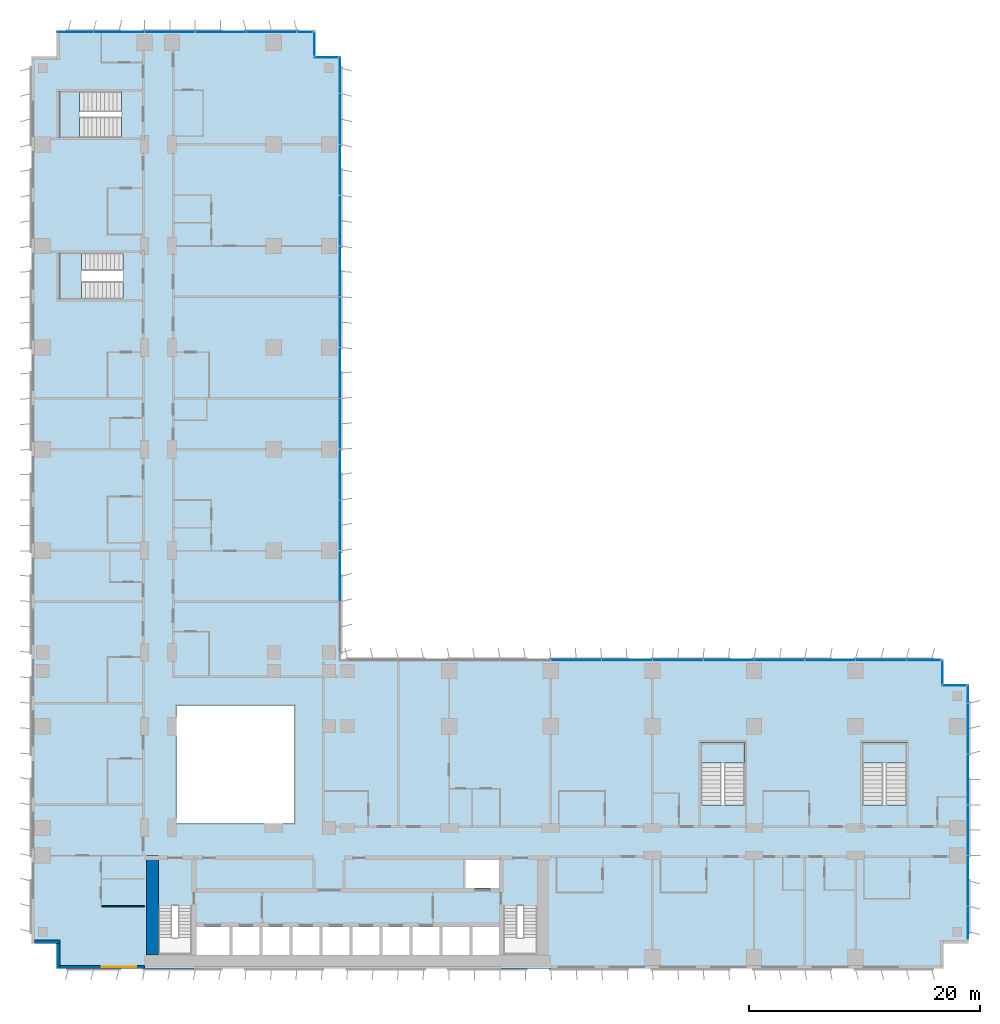
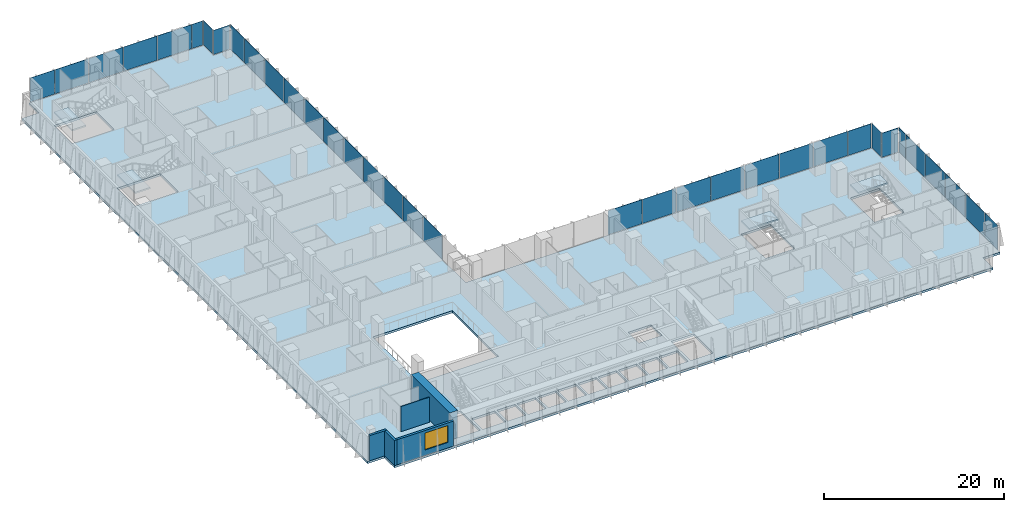
# One storey, part 11 of 24: 35 plates, 5 slabs, 5 walls, 1 window, 1 opening, 12 elements without a shape of their own.
"""IFC4 building model written with IfcOpenShell, lengths in metres."""

from ifc_helpers import new_model, si_unit, direction, frame, frame_2d, origin, origin_2d, place, context, subcontext, project, spatial, polyline, rectangle, outline, extrude, source, transform, mapped, material, layer, layer_set, type_object, element, fill, aggregate, save


model = new_model("IFC4")

# Units and contexts
model_context = context("Model", 3, precision=1e-05, world=origin(), true_north=direction((0.0, 1.0)))
body_context = subcontext(model_context, "Body", "Model", "MODEL_VIEW")
ifc_project = project(units=[si_unit("LENGTHUNIT", "METRE"), si_unit("AREAUNIT", "SQUARE_METRE"), si_unit("VOLUMEUNIT", "CUBIC_METRE"), si_unit("PLANEANGLEUNIT", "RADIAN"), si_unit("MASSUNIT", "GRAM", prefix="KILO")], contexts=[model_context])

# Site, building, storey
site_placement = place(None, origin())
site = spatial("IfcSite", under=ifc_project, at=site_placement, CompositionType="ELEMENT")
building_placement = place(site_placement, origin())
building = spatial("IfcBuilding", under=site, at=building_placement, Name="Kemantara Hotel Tower", CompositionType="ELEMENT")
storey_placement = place(building_placement, frame((0.0, 0.0, 45.10009765625)))
storey = spatial("IfcBuildingStorey", under=building, at=storey_placement, Name="L09", CompositionType="ELEMENT", Elevation=45.10009765625)

# Slab
ifc_material_1 = material(Name="Concrete fc 40 MPa", Category="concrete")
ifc_layer_1 = layer(ifc_material_1, 0.300048828125)
ifc_layer_set_1 = layer_set([ifc_layer_1], Name="Concrete fc 40 MPa")
slab_type_1 = type_object("IfcSlabType", Name="POST-TENSIONED FLAT PLATE 300", PredefinedType="FLOOR", material=ifc_layer_set_1)
slab_1_placement = place(storey_placement, frame((0.0, 0.0, -0.300048828125)))
element("IfcSlab", 1, at=slab_1_placement, inside=storey, type_object=slab_type_1, Name="FLOOR SLAB L09", PredefinedType="FLOOR", context=body_context, shape_type="SweptSolid", body=[
    extrude(outline(polyline([(0.0, 2.199951171875), (2.199951171875, 2.199951171875), (2.199951171875, 0.0), (79.0, 0.0), (79.0, 2.199951171875), (81.199951171875, 2.199951171875), (81.199951171875, 24.60009765625), (79.0, 24.60009765625), (79.0, 26.800048828125), (26.800048828125, 26.800048828125), (26.800048828125, 79.0), (24.60009765625, 79.0), (24.60009765625, 81.199951171875), (2.199951171875, 81.199951171875), (2.199951171875, 79.0), (0.0, 79.0), (0.0, 2.199951171875)]), holes=[polyline([(17.175048828125, 1.199951171875), (14.22509765625, 1.199951171875), (14.22509765625, 3.60009765625), (17.175048828125, 3.60009765625), (17.175048828125, 1.199951171875)]), polyline([(19.77490234375, 1.199951171875), (17.425048828125, 1.199951171875), (17.425048828125, 3.60009765625), (19.77490234375, 3.60009765625), (19.77490234375, 1.199951171875)]), polyline([(22.375, 1.199951171875), (20.02490234375, 1.199951171875), (20.02490234375, 3.60009765625), (22.375, 3.60009765625), (22.375, 1.199951171875)]), polyline([(24.97509765625, 1.199951171875), (22.625, 1.199951171875), (22.625, 3.60009765625), (24.97509765625, 3.60009765625), (24.97509765625, 1.199951171875)]), polyline([(27.574951171875, 1.199951171875), (25.22509765625, 1.199951171875), (25.22509765625, 3.60009765625), (27.574951171875, 3.60009765625), (27.574951171875, 1.199951171875)]), polyline([(11.0, 1.199951171875), (11.0, 5.49951171875), (13.89990234375, 5.49951171875), (13.89990234375, 1.199951171875), (11.0, 1.199951171875)]), polyline([(22.800048828125, 12.60009765625), (12.60009765625, 12.60009765625), (12.60009765625, 22.800048828125), (22.800048828125, 22.800048828125), (22.800048828125, 12.60009765625)]), polyline([(7.949462890625, 62.0), (7.949462890625, 58.0), (2.39990234375, 58.0), (2.39990234375, 62.0), (7.949462890625, 62.0)]), polyline([(7.79931640625, 76.0), (7.79931640625, 72.0), (2.39990234375, 72.0), (2.39990234375, 76.0), (7.79931640625, 76.0)]), polyline([(30.175048828125, 1.199951171875), (27.824951171875, 1.199951171875), (27.824951171875, 3.60009765625), (30.175048828125, 3.60009765625), (30.175048828125, 1.199951171875)]), polyline([(32.77490234375, 1.199951171875), (30.425048828125, 1.199951171875), (30.425048828125, 3.60009765625), (32.77490234375, 3.60009765625), (32.77490234375, 1.199951171875)]), polyline([(35.375, 1.199951171875), (33.02490234375, 1.199951171875), (33.02490234375, 3.60009765625), (35.375, 3.60009765625), (35.375, 1.199951171875)]), polyline([(37.97509765625, 1.199951171875), (35.625, 1.199951171875), (35.625, 3.60009765625), (37.97509765625, 3.60009765625), (37.97509765625, 1.199951171875)]), polyline([(40.574951171875, 1.199951171875), (38.22509765625, 1.199951171875), (38.22509765625, 3.60009765625), (40.574951171875, 3.60009765625), (40.574951171875, 1.199951171875)]), polyline([(40.89990234375, 1.199951171875), (40.89990234375, 5.49951171875), (43.800048828125, 5.49951171875), (43.800048828125, 1.199951171875), (40.89990234375, 1.199951171875)]), polyline([(40.574951171875, 7.0), (37.625, 7.0), (37.625, 9.39990234375), (40.574951171875, 9.39990234375), (40.574951171875, 7.0)]), polyline([(61.800048828125, 14.20068359375), (58.0, 14.20068359375), (58.0, 19.60009765625), (61.800048828125, 19.60009765625), (61.800048828125, 14.20068359375)]), polyline([(75.800048828125, 14.20068359375), (72.0, 14.20068359375), (72.0, 19.60009765625), (75.800048828125, 19.60009765625), (75.800048828125, 14.20068359375)])]), origin(), (0.0, 0.0, 1.0), 0.300048828125),
])

# Stair, slab
stair_type_1 = type_object("IfcStairType", Name="Stair 1800 wide 22 risers of 168 x 360 mm", PredefinedType="HALF_TURN_STAIR", material=ifc_material_1)
stair_1_placement = place(storey_placement, origin())
stair_1 = element("IfcStair", 2, at=stair_1_placement, inside=storey, type_object=stair_type_1, Name="L09 Exit stair ST3", PredefinedType="HALF_TURN_STAIR")
ifc_layer_2 = layer(ifc_material_1, 0.199951171875)
ifc_layer_set_2 = layer_set([ifc_layer_2], Name="Concrete fc 40 MPa")
slab_type_2 = type_object("IfcSlabType", Name="Stair landing 200 mm", PredefinedType="LANDING", material=ifc_layer_set_2)
slab_2_placement = place(storey_placement, frame((0.0, 0.0, 1.64990234375)))
slab_2 = element("IfcSlab", 3, at=slab_2_placement, type_object=slab_type_2, Name="ST3 landing 1", PredefinedType="LANDING", context=body_context, shape_type="SweptSolid", body=[
    extrude(outline(polyline([(61.800048828125, 17.800048828125), (61.800048828125, 19.60009765625), (58.0, 19.60009765625), (58.0, 17.800048828125), (61.800048828125, 17.800048828125)])), origin(), (0.0, 0.0, 1.0), 0.199951171875),
])
aggregate(stair_1, [slab_2])

stair_type_2 = type_object("IfcStairType", Name="Stair 1550 wide 22 risers of 168 x 360 mm", PredefinedType="HALF_TURN_STAIR", material=ifc_material_1)
stair_2_placement = place(storey_placement, origin())
stair_2 = element("IfcStair", 4, at=stair_2_placement, inside=storey, type_object=stair_type_2, Name="L09 Exit stair ST4", PredefinedType="HALF_TURN_STAIR")
slab_3_placement = place(storey_placement, frame((0.0, 0.0, 1.64990234375)))
slab_3 = element("IfcSlab", 5, at=slab_3_placement, type_object=slab_type_2, Name="ST4 landing 1", PredefinedType="LANDING", context=body_context, shape_type="SweptSolid", body=[
    extrude(outline(polyline([(4.35009765625, 62.0), (2.39990234375, 62.0), (2.39990234375, 58.0), (4.35009765625, 58.0), (4.35009765625, 62.0)])), origin(), (0.0, 0.0, 1.0), 0.199951171875),
])
aggregate(stair_2, [slab_3])

stair_3_placement = place(storey_placement, origin())
stair_3 = element("IfcStair", 6, at=stair_3_placement, inside=storey, type_object=stair_type_1, Name="L09 Exit stair ST5", PredefinedType="HALF_TURN_STAIR")
slab_4_placement = place(storey_placement, frame((0.0, 0.0, 1.64990234375)))
slab_4 = element("IfcSlab", 7, at=slab_4_placement, type_object=slab_type_2, Name="ST5 landing 1", PredefinedType="LANDING", context=body_context, shape_type="SweptSolid", body=[
    extrude(outline(polyline([(75.800048828125, 17.800048828125), (75.800048828125, 19.60009765625), (72.0, 19.60009765625), (72.0, 17.800048828125), (75.800048828125, 17.800048828125)])), origin(), (0.0, 0.0, 1.0), 0.199951171875),
])
aggregate(stair_3, [slab_4])

stair_4_placement = place(storey_placement, origin())
stair_4 = element("IfcStair", 8, at=stair_4_placement, inside=storey, type_object=stair_type_1, Name="L09 Exit stair ST6", PredefinedType="HALF_TURN_STAIR")
slab_5_placement = place(storey_placement, frame((0.0, 0.0, 1.64990234375)))
slab_5 = element("IfcSlab", 9, at=slab_5_placement, type_object=slab_type_2, Name="ST6 landing 1", PredefinedType="LANDING", context=body_context, shape_type="SweptSolid", body=[
    extrude(outline(polyline([(4.199951171875, 76.0), (2.39990234375, 76.0), (2.39990234375, 72.0), (4.199951171875, 72.0), (4.199951171875, 76.0)])), origin(), (0.0, 0.0, 1.0), 0.199951171875),
])
aggregate(stair_4, [slab_5])

# Curtain wall, plates
ifc_material_2 = material(Name="Low-E tinted double insulated glass 36 mm", Category="glass")
curtain_wall_type = type_object("IfcCurtainWallType", Name="TOWER CURTAIN WALL, FRONT FACES", PredefinedType="USERDEFINED", material=ifc_material_2)
curtain_wall_1_placement = place(storey_placement, origin())
curtain_wall_1 = element("IfcCurtainWall", 10, at=curtain_wall_1_placement, inside=storey, type_object=curtain_wall_type, Name="CW4 L09 T1-R04-1", ObjectType="TOWER CURTAIN WALL, FRONT FACES", PredefinedType="USERDEFINED")
ifc_layer_3 = layer(ifc_material_2, 0.035888671875)
ifc_layer_set_3 = layer_set([ifc_layer_3], Name="Low-E tinted double insulated glass 36 mm")
plate_type = type_object("IfcPlateType", Name="TOWER CURTAIN WALL, FRONT FACES PANEL", PredefinedType="CURTAIN_PANEL", material=ifc_layer_set_3)
shared_shape_1 = source(origin(), body_context, "Body", "SweptSolid", [
    extrude(rectangle(XDim=2.81005859375, YDim=0.035888671875, at=origin_2d()), origin(), (0.0, 0.0, 1.0), 3.280029296875),
])
plate_1_placement = place(storey_placement, frame((81.125, 3.965087890625, 0.1201171875), z_axis=(0.0, 0.0, 1.0), x_axis=(0.0, 1.0, 0.0)))
plate_1 = element("IfcPlate", 11, at=plate_1_placement, type_object=plate_type, Name="CW4 glass panel T1-R04-1.1", PredefinedType="CURTAIN_PANEL", context=body_context, shape_type="MappedRepresentation", body=[
    mapped(shared_shape_1, transform((0.0, 0.0, 0.0))),
])
shared_shape_2 = source(origin(), body_context, "Body", "SweptSolid", [
    extrude(rectangle(XDim=4.340087890625, YDim=0.035888671875, at=origin_2d()), origin(), (0.0, 0.0, 1.0), 3.280029296875),
])
plate_2_placement = place(storey_placement, frame((81.125, 7.60009765625, 0.1201171875), z_axis=(0.0, 0.0, 1.0), x_axis=(0.0, 1.0, 0.0)))
plate_2 = element("IfcPlate", 12, at=plate_2_placement, type_object=plate_type, Name="CW4 glass panel T1-R04-1.2", PredefinedType="CURTAIN_PANEL", context=body_context, shape_type="MappedRepresentation", body=[
    mapped(shared_shape_2, transform((0.0, 0.0, 0.0))),
])
plate_3_placement = place(storey_placement, frame((81.125, 12.0, 0.1201171875), z_axis=(0.0, 0.0, 1.0), x_axis=(0.0, 1.0, 0.0)))
plate_3 = element("IfcPlate", 13, at=plate_3_placement, type_object=plate_type, Name="CW4 glass panel T1-R04-1.3", PredefinedType="CURTAIN_PANEL", context=body_context, shape_type="MappedRepresentation", body=[
    mapped(shared_shape_2, transform((0.0, 0.0, 0.0))),
])
plate_4_placement = place(storey_placement, frame((81.125, 16.39990234375, 0.1201171875), z_axis=(0.0, 0.0, 1.0), x_axis=(0.0, 1.0, 0.0)))
plate_4 = element("IfcPlate", 14, at=plate_4_placement, type_object=plate_type, Name="CW4 glass panel T1-R04-1.4", PredefinedType="CURTAIN_PANEL", context=body_context, shape_type="MappedRepresentation", body=[
    mapped(shared_shape_2, transform((0.0, 0.0, 0.0))),
])
plate_5_placement = place(storey_placement, frame((81.125, 20.800048828125, 0.1201171875), z_axis=(0.0, 0.0, 1.0), x_axis=(0.0, 1.0, 0.0)))
plate_5 = element("IfcPlate", 15, at=plate_5_placement, type_object=plate_type, Name="CW4 glass panel T1-R04-1.5", PredefinedType="CURTAIN_PANEL", context=body_context, shape_type="MappedRepresentation", body=[
    mapped(shared_shape_2, transform((0.0, 0.0, 0.0))),
])

curtain_wall_2_placement = place(storey_placement, origin())
curtain_wall_2 = element("IfcCurtainWall", 16, at=curtain_wall_2_placement, inside=storey, type_object=curtain_wall_type, Name="CW4 L09 T1-R07-1", ObjectType="TOWER CURTAIN WALL, FRONT FACES", PredefinedType="USERDEFINED")
plate_6_placement = place(storey_placement, frame((73.60009765625, 26.72509765625, 0.1201171875), z_axis=(0.0, 0.0, 1.0), x_axis=(-1.0, 0.0, 0.0)))
plate_6 = element("IfcPlate", 17, at=plate_6_placement, type_object=plate_type, Name="CW4 glass panel T1-R07-1.2", PredefinedType="CURTAIN_PANEL", context=body_context, shape_type="MappedRepresentation", body=[
    mapped(shared_shape_2, transform((0.0, 0.0, 0.0))),
])
plate_7_placement = place(storey_placement, frame((69.199951171875, 26.72509765625, 0.1201171875), z_axis=(0.0, 0.0, 1.0), x_axis=(-1.0, 0.0, 0.0)))
plate_7 = element("IfcPlate", 18, at=plate_7_placement, type_object=plate_type, Name="CW4 glass panel T1-R07-1.3", PredefinedType="CURTAIN_PANEL", context=body_context, shape_type="MappedRepresentation", body=[
    mapped(shared_shape_2, transform((0.0, 0.0, 0.0))),
])
plate_8_placement = place(storey_placement, frame((64.800048828125, 26.72509765625, 0.1201171875), z_axis=(0.0, 0.0, 1.0), x_axis=(-1.0, 0.0, 0.0)))
plate_8 = element("IfcPlate", 19, at=plate_8_placement, type_object=plate_type, Name="CW4 glass panel T1-R07-1.4", PredefinedType="CURTAIN_PANEL", context=body_context, shape_type="MappedRepresentation", body=[
    mapped(shared_shape_2, transform((0.0, 0.0, 0.0))),
])
plate_9_placement = place(storey_placement, frame((60.39990234375, 26.72509765625, 0.1201171875), z_axis=(0.0, 0.0, 1.0), x_axis=(-1.0, 0.0, 0.0)))
plate_9 = element("IfcPlate", 20, at=plate_9_placement, type_object=plate_type, Name="CW4 glass panel T1-R07-1.5", PredefinedType="CURTAIN_PANEL", context=body_context, shape_type="MappedRepresentation", body=[
    mapped(shared_shape_2, transform((0.0, 0.0, 0.0))),
])
plate_10_placement = place(storey_placement, frame((56.0, 26.72509765625, 0.1201171875), z_axis=(0.0, 0.0, 1.0), x_axis=(-1.0, 0.0, 0.0)))
plate_10 = element("IfcPlate", 21, at=plate_10_placement, type_object=plate_type, Name="CW4 glass panel T1-R07-1.6", PredefinedType="CURTAIN_PANEL", context=body_context, shape_type="MappedRepresentation", body=[
    mapped(shared_shape_2, transform((0.0, 0.0, 0.0))),
])
plate_11_placement = place(storey_placement, frame((51.60009765625, 26.72509765625, 0.1201171875), z_axis=(0.0, 0.0, 1.0), x_axis=(-1.0, 0.0, 0.0)))
plate_11 = element("IfcPlate", 22, at=plate_11_placement, type_object=plate_type, Name="CW4 glass panel T1-R07-1.7", PredefinedType="CURTAIN_PANEL", context=body_context, shape_type="MappedRepresentation", body=[
    mapped(shared_shape_2, transform((0.0, 0.0, 0.0))),
])
plate_12_placement = place(storey_placement, frame((47.199951171875, 26.72509765625, 0.1201171875), z_axis=(0.0, 0.0, 1.0), x_axis=(-1.0, 0.0, 0.0)))
plate_12 = element("IfcPlate", 23, at=plate_12_placement, type_object=plate_type, Name="CW4 glass panel T1-R07-1.8", PredefinedType="CURTAIN_PANEL", context=body_context, shape_type="MappedRepresentation", body=[
    mapped(shared_shape_2, transform((0.0, 0.0, 0.0))),
])

curtain_wall_3_placement = place(storey_placement, origin())
curtain_wall_3 = element("IfcCurtainWall", 24, at=curtain_wall_3_placement, inside=storey, type_object=curtain_wall_type, Name="CW4 L09 T1-R08-1", ObjectType="TOWER CURTAIN WALL, FRONT FACES", PredefinedType="USERDEFINED")
plate_13_placement = place(storey_placement, frame((26.72509765625, 34.0, 0.1201171875), z_axis=(0.0, 0.0, 1.0), x_axis=(0.0, 1.0, 0.0)))
plate_13 = element("IfcPlate", 25, at=plate_13_placement, type_object=plate_type, Name="CW4 glass panel T1-R08-1.3", PredefinedType="CURTAIN_PANEL", context=body_context, shape_type="MappedRepresentation", body=[
    mapped(shared_shape_2, transform((0.0, 0.0, 0.0))),
])
plate_14_placement = place(storey_placement, frame((26.72509765625, 38.39990234375, 0.1201171875), z_axis=(0.0, 0.0, 1.0), x_axis=(0.0, 1.0, 0.0)))
plate_14 = element("IfcPlate", 26, at=plate_14_placement, type_object=plate_type, Name="CW4 glass panel T1-R08-1.4", PredefinedType="CURTAIN_PANEL", context=body_context, shape_type="MappedRepresentation", body=[
    mapped(shared_shape_2, transform((0.0, 0.0, 0.0))),
])
plate_15_placement = place(storey_placement, frame((26.72509765625, 42.800048828125, 0.1201171875), z_axis=(0.0, 0.0, 1.0), x_axis=(0.0, 1.0, 0.0)))
plate_15 = element("IfcPlate", 27, at=plate_15_placement, type_object=plate_type, Name="CW4 glass panel T1-R08-1.5", PredefinedType="CURTAIN_PANEL", context=body_context, shape_type="MappedRepresentation", body=[
    mapped(shared_shape_2, transform((0.0, 0.0, 0.0))),
])
plate_16_placement = place(storey_placement, frame((26.72509765625, 47.199951171875, 0.1201171875), z_axis=(0.0, 0.0, 1.0), x_axis=(0.0, 1.0, 0.0)))
plate_16 = element("IfcPlate", 28, at=plate_16_placement, type_object=plate_type, Name="CW4 glass panel T1-R08-1.6", PredefinedType="CURTAIN_PANEL", context=body_context, shape_type="MappedRepresentation", body=[
    mapped(shared_shape_2, transform((0.0, 0.0, 0.0))),
])
plate_17_placement = place(storey_placement, frame((26.72509765625, 51.60009765625, 0.1201171875), z_axis=(0.0, 0.0, 1.0), x_axis=(0.0, 1.0, 0.0)))
plate_17 = element("IfcPlate", 29, at=plate_17_placement, type_object=plate_type, Name="CW4 glass panel T1-R08-1.7", PredefinedType="CURTAIN_PANEL", context=body_context, shape_type="MappedRepresentation", body=[
    mapped(shared_shape_2, transform((0.0, 0.0, 0.0))),
])
plate_18_placement = place(storey_placement, frame((26.72509765625, 56.0, 0.1201171875), z_axis=(0.0, 0.0, 1.0), x_axis=(0.0, 1.0, 0.0)))
plate_18 = element("IfcPlate", 30, at=plate_18_placement, type_object=plate_type, Name="CW4 glass panel T1-R08-1.8", PredefinedType="CURTAIN_PANEL", context=body_context, shape_type="MappedRepresentation", body=[
    mapped(shared_shape_2, transform((0.0, 0.0, 0.0))),
])
plate_19_placement = place(storey_placement, frame((26.72509765625, 60.39990234375, 0.1201171875), z_axis=(0.0, 0.0, 1.0), x_axis=(0.0, 1.0, 0.0)))
plate_19 = element("IfcPlate", 31, at=plate_19_placement, type_object=plate_type, Name="CW4 glass panel T1-R08-1.9", PredefinedType="CURTAIN_PANEL", context=body_context, shape_type="MappedRepresentation", body=[
    mapped(shared_shape_2, transform((0.0, 0.0, 0.0))),
])
plate_20_placement = place(storey_placement, frame((26.72509765625, 64.800048828125, 0.1201171875), z_axis=(0.0, 0.0, 1.0), x_axis=(0.0, 1.0, 0.0)))
plate_20 = element("IfcPlate", 32, at=plate_20_placement, type_object=plate_type, Name="CW4 glass panel T1-R08-1.10", PredefinedType="CURTAIN_PANEL", context=body_context, shape_type="MappedRepresentation", body=[
    mapped(shared_shape_2, transform((0.0, 0.0, 0.0))),
])
plate_21_placement = place(storey_placement, frame((26.72509765625, 69.199951171875, 0.1201171875), z_axis=(0.0, 0.0, 1.0), x_axis=(0.0, 1.0, 0.0)))
plate_21 = element("IfcPlate", 33, at=plate_21_placement, type_object=plate_type, Name="CW4 glass panel T1-R08-1.11", PredefinedType="CURTAIN_PANEL", context=body_context, shape_type="MappedRepresentation", body=[
    mapped(shared_shape_2, transform((0.0, 0.0, 0.0))),
])
plate_22_placement = place(storey_placement, frame((26.72509765625, 73.60009765625, 0.1201171875), z_axis=(0.0, 0.0, 1.0), x_axis=(0.0, 1.0, 0.0)))
plate_22 = element("IfcPlate", 34, at=plate_22_placement, type_object=plate_type, Name="CW4 glass panel T1-R08-1.12", PredefinedType="CURTAIN_PANEL", context=body_context, shape_type="MappedRepresentation", body=[
    mapped(shared_shape_2, transform((0.0, 0.0, 0.0))),
])

curtain_wall_4_placement = place(storey_placement, origin())
curtain_wall_4 = element("IfcCurtainWall", 35, at=curtain_wall_4_placement, inside=storey, type_object=curtain_wall_type, Name="CW4 L09 T1-R11-1", ObjectType="TOWER CURTAIN WALL, FRONT FACES", PredefinedType="USERDEFINED")
plate_23_placement = place(storey_placement, frame((20.800048828125, 81.125, 0.1201171875), z_axis=(0.0, 0.0, 1.0), x_axis=(-1.0, 0.0, 0.0)))
plate_23 = element("IfcPlate", 36, at=plate_23_placement, type_object=plate_type, Name="CW4 glass panel T1-R11-1.2", PredefinedType="CURTAIN_PANEL", context=body_context, shape_type="MappedRepresentation", body=[
    mapped(shared_shape_2, transform((0.0, 0.0, 0.0))),
])
plate_24_placement = place(storey_placement, frame((16.39990234375, 81.125, 0.1201171875), z_axis=(0.0, 0.0, 1.0), x_axis=(-1.0, 0.0, 0.0)))
plate_24 = element("IfcPlate", 37, at=plate_24_placement, type_object=plate_type, Name="CW4 glass panel T1-R11-1.3", PredefinedType="CURTAIN_PANEL", context=body_context, shape_type="MappedRepresentation", body=[
    mapped(shared_shape_2, transform((0.0, 0.0, 0.0))),
])
plate_25_placement = place(storey_placement, frame((12.0, 81.125, 0.1201171875), z_axis=(0.0, 0.0, 1.0), x_axis=(-1.0, 0.0, 0.0)))
plate_25 = element("IfcPlate", 38, at=plate_25_placement, type_object=plate_type, Name="CW4 glass panel T1-R11-1.4", PredefinedType="CURTAIN_PANEL", context=body_context, shape_type="MappedRepresentation", body=[
    mapped(shared_shape_2, transform((0.0, 0.0, 0.0))),
])
plate_26_placement = place(storey_placement, frame((7.60009765625, 81.125, 0.1201171875), z_axis=(0.0, 0.0, 1.0), x_axis=(-1.0, 0.0, 0.0)))
plate_26 = element("IfcPlate", 39, at=plate_26_placement, type_object=plate_type, Name="CW4 glass panel T1-R11-1.5", PredefinedType="CURTAIN_PANEL", context=body_context, shape_type="MappedRepresentation", body=[
    mapped(shared_shape_2, transform((0.0, 0.0, 0.0))),
])

# Plate
shared_shape_3 = source(origin(), body_context, "Body", "SweptSolid", [
    extrude(rectangle(XDim=1.510009765625, YDim=0.035888671875, at=origin_2d()), origin(), (0.0, 0.0, 1.0), 3.280029296875),
])
plate_27_placement = place(storey_placement, frame((81.125, 23.784912109375, 0.1201171875), z_axis=(0.0, 0.0, 1.0), x_axis=(0.0, 1.0, 0.0)))
plate_27 = element("IfcPlate", 40, at=plate_27_placement, type_object=plate_type, Name="CW4 glass panel T1-R04-1.6", PredefinedType="CURTAIN_PANEL", context=body_context, shape_type="MappedRepresentation", body=[
    mapped(shared_shape_3, transform((0.0, 0.0, 0.0))),
])

aggregate(curtain_wall_1, [plate_1, plate_2, plate_3, plate_4, plate_5, plate_27])

shared_shape_4 = source(origin(), body_context, "Body", "SweptSolid", [
    extrude(rectangle(XDim=1.360107421875, YDim=0.035888671875, at=origin_2d()), origin(), (0.0, 0.0, 1.0), 3.280029296875),
])
plate_28_placement = place(storey_placement, frame((23.7099609375, 81.125, 0.1201171875), z_axis=(0.0, 0.0, 1.0), x_axis=(-1.0, 0.0, 0.0)))
plate_28 = element("IfcPlate", 41, at=plate_28_placement, type_object=plate_type, Name="CW4 glass panel T1-R11-1.1", PredefinedType="CURTAIN_PANEL", context=body_context, shape_type="MappedRepresentation", body=[
    mapped(shared_shape_4, transform((0.0, 0.0, 0.0))),
])

shared_shape_5 = source(origin(), body_context, "Body", "SweptSolid", [
    extrude(rectangle(XDim=3.110107421875, YDim=0.035888671875, at=origin_2d()), origin(), (0.0, 0.0, 1.0), 3.280029296875),
])
plate_29_placement = place(storey_placement, frame((26.72509765625, 77.385009765625, 0.1201171875), z_axis=(0.0, 0.0, 1.0), x_axis=(0.0, 1.0, 0.0)))
plate_29 = element("IfcPlate", 42, at=plate_29_placement, type_object=plate_type, Name="CW4 glass panel T1-R08-1.13", PredefinedType="CURTAIN_PANEL", context=body_context, shape_type="MappedRepresentation", body=[
    mapped(shared_shape_5, transform((0.0, 0.0, 0.0))),
])

aggregate(curtain_wall_3, [plate_13, plate_14, plate_15, plate_16, plate_17, plate_18, plate_19, plate_20, plate_21, plate_22, plate_29])

plate_30_placement = place(storey_placement, frame((3.81494140625, 81.125, 0.1201171875), z_axis=(0.0, 0.0, 1.0), x_axis=(-1.0, 0.0, 0.0)))
plate_30 = element("IfcPlate", 43, at=plate_30_placement, type_object=plate_type, Name="CW4 glass panel T1-R11-1.6", PredefinedType="CURTAIN_PANEL", context=body_context, shape_type="MappedRepresentation", body=[
    mapped(shared_shape_5, transform((0.0, 0.0, 0.0))),
])

aggregate(curtain_wall_4, [plate_28, plate_23, plate_24, plate_25, plate_26, plate_30])

# Curtain wall, plate
curtain_wall_5_placement = place(storey_placement, origin())
curtain_wall_5 = element("IfcCurtainWall", 44, at=curtain_wall_5_placement, inside=storey, type_object=curtain_wall_type, Name="CW4 L09 T1-R05-1", ObjectType="TOWER CURTAIN WALL, FRONT FACES", PredefinedType="USERDEFINED")
shared_shape_6 = source(origin(), body_context, "Body", "SweptSolid", [
    extrude(rectangle(XDim=2.080078125, YDim=0.035888671875, at=origin_2d()), origin(), (0.0, 0.0, 1.0), 3.280029296875),
])
plate_31_placement = place(storey_placement, frame((79.949951171875, 24.52490234375, 0.1201171875), z_axis=(0.0, 0.0, 1.0), x_axis=(-1.0, 0.0, 0.0)))
plate_31 = element("IfcPlate", 45, at=plate_31_placement, type_object=plate_type, Name="CW4 glass panel T1-R05-1.1", PredefinedType="CURTAIN_PANEL", context=body_context, shape_type="MappedRepresentation", body=[
    mapped(shared_shape_6, transform((0.0, 0.0, 0.0))),
])
aggregate(curtain_wall_5, [plate_31])

curtain_wall_6_placement = place(storey_placement, origin())
curtain_wall_6 = element("IfcCurtainWall", 46, at=curtain_wall_6_placement, inside=storey, type_object=curtain_wall_type, Name="CW4 L09 T1-R06-1", ObjectType="TOWER CURTAIN WALL, FRONT FACES", PredefinedType="USERDEFINED")
plate_32_placement = place(storey_placement, frame((78.925048828125, 25.699951171875, 0.1201171875), z_axis=(0.0, 0.0, 1.0), x_axis=(0.0, 1.0, 0.0)))
plate_32 = element("IfcPlate", 47, at=plate_32_placement, type_object=plate_type, Name="CW4 glass panel T1-R06-1.1", PredefinedType="CURTAIN_PANEL", context=body_context, shape_type="MappedRepresentation", body=[
    mapped(shared_shape_6, transform((0.0, 0.0, 0.0))),
])
aggregate(curtain_wall_6, [plate_32])

curtain_wall_7_placement = place(storey_placement, origin())
curtain_wall_7 = element("IfcCurtainWall", 48, at=curtain_wall_7_placement, inside=storey, type_object=curtain_wall_type, Name="CW4 L09 T1-R09-1", ObjectType="TOWER CURTAIN WALL, FRONT FACES", PredefinedType="USERDEFINED")
plate_33_placement = place(storey_placement, frame((25.550048828125, 78.925048828125, 0.1201171875), z_axis=(0.0, 0.0, 1.0), x_axis=(-1.0, 0.0, 0.0)))
plate_33 = element("IfcPlate", 49, at=plate_33_placement, type_object=plate_type, Name="CW4 glass panel T1-R09-1.1", PredefinedType="CURTAIN_PANEL", context=body_context, shape_type="MappedRepresentation", body=[
    mapped(shared_shape_6, transform((0.0, 0.0, 0.0))),
])
aggregate(curtain_wall_7, [plate_33])

curtain_wall_8_placement = place(storey_placement, origin())
curtain_wall_8 = element("IfcCurtainWall", 50, at=curtain_wall_8_placement, inside=storey, type_object=curtain_wall_type, Name="CW4 L09 T1-R10-1", ObjectType="TOWER CURTAIN WALL, FRONT FACES", PredefinedType="USERDEFINED")
plate_34_placement = place(storey_placement, frame((24.52490234375, 80.10009765625, 0.1201171875), z_axis=(0.0, 0.0, 1.0), x_axis=(0.0, 1.0, 0.0)))
plate_34 = element("IfcPlate", 51, at=plate_34_placement, type_object=plate_type, Name="CW4 glass panel T1-R10-1.1", PredefinedType="CURTAIN_PANEL", context=body_context, shape_type="MappedRepresentation", body=[
    mapped(shared_shape_6, transform((0.0, 0.0, 0.0))),
])
aggregate(curtain_wall_8, [plate_34])

# Plate
shared_shape_7 = source(origin(), body_context, "Body", "SweptSolid", [
    extrude(rectangle(XDim=2.9599609375, YDim=0.035888671875, at=origin_2d()), origin(), (0.0, 0.0, 1.0), 3.280029296875),
])
plate_35_placement = place(storey_placement, frame((77.31005859375, 26.72509765625, 0.1201171875), z_axis=(0.0, 0.0, 1.0), x_axis=(-1.0, 0.0, 0.0)))
plate_35 = element("IfcPlate", 52, at=plate_35_placement, type_object=plate_type, Name="CW4 glass panel T1-R07-1.1", PredefinedType="CURTAIN_PANEL", context=body_context, shape_type="MappedRepresentation", body=[
    mapped(shared_shape_7, transform((0.0, 0.0, 0.0))),
])

aggregate(curtain_wall_2, [plate_35, plate_6, plate_7, plate_8, plate_9, plate_10, plate_11, plate_12])

# Wall
ifc_material_3 = material(Name="Bronze anodised aluminium cladding on insulated steel stud wall", Category="steel")
ifc_layer_4 = layer(ifc_material_3, 0.300048828125)
ifc_layer_set_4 = layer_set([ifc_layer_4], Name="Bronze anodised aluminium cladding on insulated steel stud wall")
wall_type_1 = type_object("IfcWallType", Name="BRONZE METAL-CLAD EXTERNAL WALL 300", PredefinedType="STANDARD", material=ifc_layer_set_4)
wall_1_placement = place(storey_placement, frame((2.35009765625, 2.199951171875, 0.0), z_axis=(0.0, 0.0, 1.0), x_axis=(0.0, -1.0, 0.0)))
element("IfcWall", 53, at=wall_1_placement, inside=storey, type_object=wall_type_1, Name="EXTERNAL WALL L09 T1-R00", PredefinedType="STANDARD", context=body_context, shape_type="SweptSolid", body=[
    extrude(rectangle(XDim=2.199951171875, YDim=0.300048828125, at=frame_2d((1.10009765625, 0.0))), origin(), (0.0, 0.0, 1.0), 3.39990234375),
])

# Wall, opening, window
wall_2_placement = place(storey_placement, frame((2.5, 0.14990234375, 0.0), z_axis=(0.0, 0.0, 1.0), x_axis=(1.0, 0.0, 0.0)))
wall_2 = element("IfcWall", 54, at=wall_2_placement, inside=storey, type_object=wall_type_1, Name="EXTERNAL WALL L09 T1-R01", PredefinedType="STANDARD", context=body_context, shape_type="SweptSolid", body=[
    extrude(rectangle(XDim=7.300048828125, YDim=0.300048828125, at=frame_2d((3.64990234375, 0.0))), origin(), (0.0, 0.0, 1.0), 3.39990234375),
])
opening_placement = place(wall_2_placement, frame((3.60009765625, 0.0, 0.75)))
opening = element("IfcOpeningElement", 55, at=opening_placement, cuts=wall_2, Name="Opening W1", PredefinedType="OPENING", context=body_context, shape_type="SweptSolid", body=[
    extrude(rectangle(XDim=3.0, YDim=2.300048828125, at=frame_2d((1.5, 1.14990234375))), frame((0.0, 0.159912109375, 0.0), z_axis=(0.0, -1.0, 0.0), x_axis=(1.0, 0.0, 0.0)), (0.0, 0.0, 1.0), 0.320068359375),
])
ifc_material_4 = material(Name="Low-E tinted double insulated glass in bronze anodised aluminium frame", Category="aluminium")
window_type = type_object("IfcWindowType", Name="CHICAGO WINDOW, TRIPLE PANEL 3000x2300", PartitioningType="TRIPLE_PANEL_VERTICAL", PredefinedType="WINDOW", material=ifc_material_4)
window_placement = place(opening_placement, origin())
window = element("IfcWindow", 56, at=window_placement, inside=storey, type_object=window_type, Name="CHICAGO WINDOW L09 T1-R01-54", OverallHeight=2.300048828125, OverallWidth=3.0, PartitioningType="SINGLE_PANEL", PredefinedType="WINDOW", context=body_context, shape_type="SweptSolid", body=[
    extrude(rectangle(XDim=3.0, YDim=2.300048828125, at=frame_2d((1.5, 1.14990234375))), frame((0.0, 0.030029296875, 0.0), z_axis=(0.0, -1.0, 0.0), x_axis=(1.0, 0.0, 0.0)), (0.0, 0.0, 1.0), 0.06005859375),
])
fill(opening, window)

# Walls
wall_3_placement = place(storey_placement, frame((0.300048828125, 2.35009765625, 0.0), z_axis=(0.0, 0.0, 1.0), x_axis=(1.0, 0.0, 0.0)))
element("IfcWall", 57, at=wall_3_placement, inside=storey, type_object=wall_type_1, Name="EXTERNAL WALL L09 T1-R15", PredefinedType="STANDARD", context=body_context, shape_type="SweptSolid", body=[
    extrude(rectangle(XDim=2.199951171875, YDim=0.300048828125, at=frame_2d((1.10009765625, 0.0))), origin(), (0.0, 0.0, 1.0), 3.39990234375),
])
ifc_material_5 = material(Name="Concrete fc 70 MPa", Category="concrete")
ifc_layer_5 = layer(ifc_material_5, 1.0)
ifc_layer_set_5 = layer_set([ifc_layer_5], Name="Concrete fc 70 MPa")
wall_type_2 = type_object("IfcWallType", Name="CORE WALL 1000 FC70", PredefinedType="SHEAR", material=ifc_layer_set_5)
wall_4_placement = place(storey_placement, frame((10.5, 1.199951171875, 0.0), z_axis=(0.0, 0.0, 1.0), x_axis=(0.0, 1.0, 0.0)))
element("IfcWall", 58, at=wall_4_placement, inside=storey, type_object=wall_type_2, Name="CORE WALL CW-W", PredefinedType="SHEAR", context=body_context, shape_type="SweptSolid", body=[
    extrude(rectangle(XDim=8.60009765625, YDim=1.0, at=frame_2d((4.300048828125, 0.0))), origin(), (0.0, 0.0, 1.0), 3.699951171875),
])
ifc_material_6 = material(Name="Gypsum board partition on steel studs, 100 mm", Category="steel")
ifc_layer_6 = layer(ifc_material_6, 0.10009765625)
ifc_layer_set_6 = layer_set([ifc_layer_6], Name="Gypsum board partition on steel studs, 100 mm")
wall_type_3 = type_object("IfcWallType", Name="ROOM PARTITION 100", PredefinedType="PARTITIONING", material=ifc_layer_set_6)
wall_5_placement = place(storey_placement, frame((6.10009765625, 5.39990234375, 0.0), z_axis=(0.0, 0.0, 1.0), x_axis=(1.0, 0.0, 0.0)))
element("IfcWall", 59, at=wall_5_placement, inside=storey, type_object=wall_type_3, Name="ROOM PARTITION 100 089", PredefinedType="PARTITIONING", context=body_context, shape_type="SweptSolid", body=[
    extrude(rectangle(XDim=3.69970703125, YDim=0.10009765625, at=frame_2d((1.849853515625, 0.0))), origin(), (0.0, 0.0, 1.0), 3.39990234375),
])

save(model, "model.ifc")
